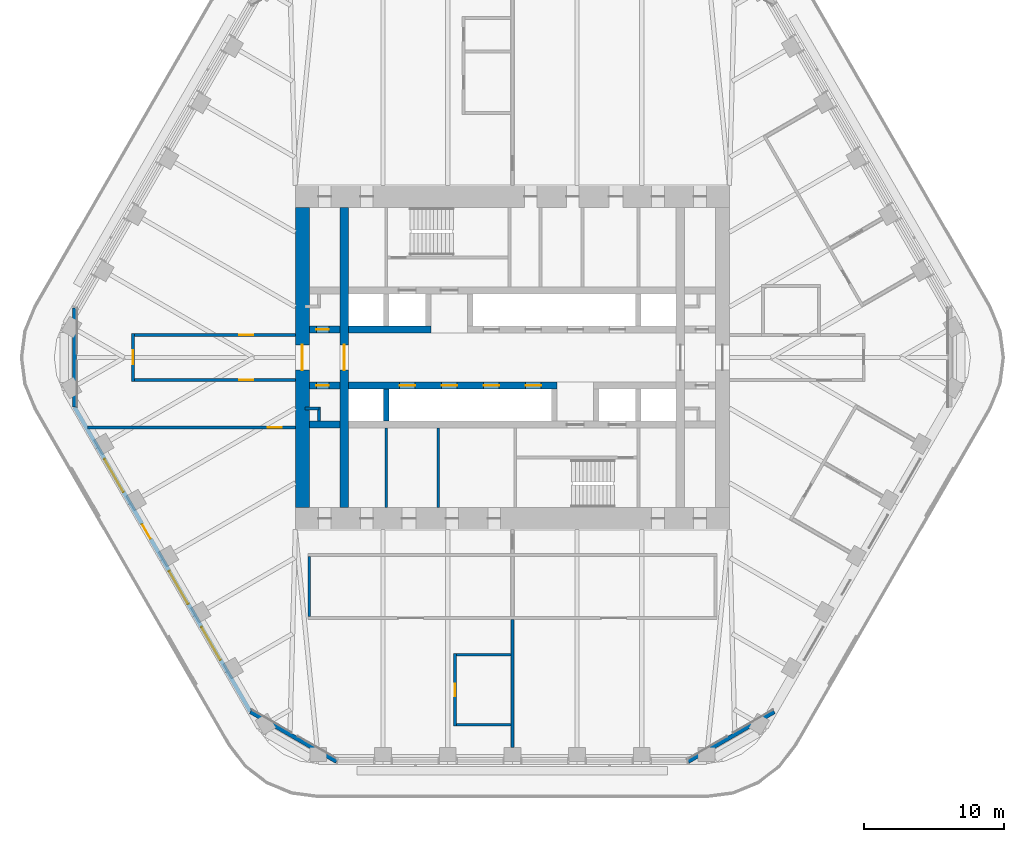
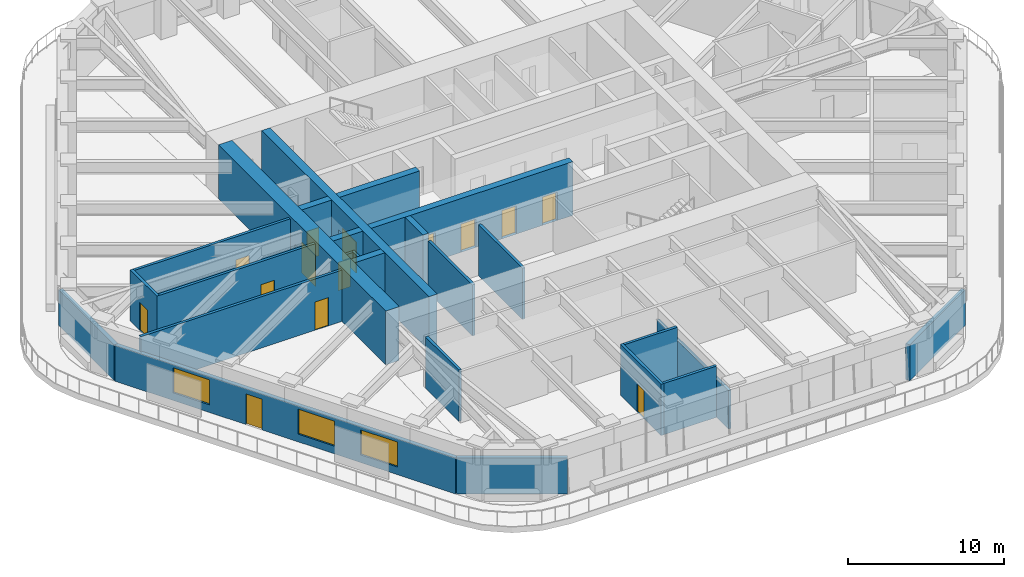
# One storey, part 14 of 20: 25 walls, 14 doors, 3 windows, 17 openings.
"""IFC4 building model written with IfcOpenShell, lengths in metres."""

from ifc_helpers import new_model, si_unit, direction, frame, frame_2d, origin, place, context, subcontext, project, spatial, rectangle, extrude, material, layer, layer_set, type_object, element, fill, save


model = new_model("IFC4")

# Units and contexts
model_context = context("Model", 3, precision=1e-05, world=origin(), true_north=direction((0.0, 1.0)))
body_context = subcontext(model_context, "Body", "Model", "MODEL_VIEW")
ifc_project = project(units=[si_unit("LENGTHUNIT", "METRE"), si_unit("AREAUNIT", "SQUARE_METRE"), si_unit("VOLUMEUNIT", "CUBIC_METRE"), si_unit("PLANEANGLEUNIT", "RADIAN"), si_unit("MASSUNIT", "GRAM", prefix="KILO")], contexts=[model_context])

# Site, building, storey
site_placement = place(None, origin())
site = spatial("IfcSite", under=ifc_project, at=site_placement, CompositionType="ELEMENT")
building_placement = place(site_placement, origin())
building = spatial("IfcBuilding", under=site, at=building_placement, Name="Tarfa Lantern Tower", CompositionType="ELEMENT")
storey_placement = place(building_placement, frame((0.0, 0.0, 257.5)))
storey = spatial("IfcBuildingStorey", under=building, at=storey_placement, Name="L58", CompositionType="ELEMENT", Elevation=257.5)

# Walls
ifc_material_1 = material(Name="Limestone cladding on blockwork", Category="masonry")
ifc_layer_1 = layer(ifc_material_1, 0.300048828125)
ifc_layer_set_1 = layer_set([ifc_layer_1], Name="EW1 STONE-CLAD WALL 300")
wall_type_1 = type_object("IfcWallType", Name="EW1 STONE-CLAD WALL 300", PredefinedType="SOLIDWALL", material=ifc_layer_set_1)
wall_1_placement = place(storey_placement, frame((-31.262939453125, 3.55078125, 0.0), z_axis=(0.0, 0.0, 1.0), x_axis=(0.0, -1.0, 0.0)))
element("IfcWall", 1, at=wall_1_placement, inside=storey, type_object=wall_type_1, Name="Garden wall NW-SW", PredefinedType="SOLIDWALL", context=body_context, shape_type="SweptSolid", body=[
    extrude(rectangle(XDim=7.1015625, YDim=0.300048828125, at=frame_2d((3.55078125, 0.0))), origin(), (0.0, 0.0, 1.0), 2.800048828125),
])
for number, where, z_axis, x_axis, name in (
    (2, (-18.70654296875, -25.299072265625, 0.0), (0.0, 0.0, 1.0), (0.866010973379, -0.500024993363, 0.0), "Garden wall SW-S"),
    (3, (12.556396484375, -28.85009765625, 0.0), (0.0, 0.0, 1.0), (0.866010973379, 0.500024993363, 0.0), "Garden wall S-SE"),
):
    element("IfcWall", number, at=place(storey_placement, frame(where, z_axis=z_axis, x_axis=x_axis)), inside=storey, type_object=wall_type_1, Name=name, PredefinedType="SOLIDWALL", context=body_context, shape_type="SweptSolid", body=[
        extrude(rectangle(XDim=7.101806640625, YDim=0.300048828125, at=frame_2d((3.55078125, 0.0))), origin(), (0.0, 0.0, 1.0), 2.800048828125),
    ])

# Wall, openings, door, windows
wall_2_placement = place(storey_placement, frame((-31.262939453125, -3.55078125, 0.0), z_axis=(0.0, 0.0, 1.0), x_axis=(0.500000442367, -0.866025148383, 0.0)))
wall_2 = element("IfcWall", 4, at=wall_2_placement, inside=storey, type_object=wall_type_1, Name="Stone wall SW", PredefinedType="SOLIDWALL", context=body_context, shape_type="SweptSolid", body=[
    extrude(rectangle(XDim=25.11279296875, YDim=0.300048828125, at=frame_2d((12.556396484375, 0.0))), origin(), (0.0, 0.0, 1.0), 2.800048828125),
])
opening_1_placement = place(wall_2_placement, frame((4.2783203125, 0.0, 0.60009765625)))
opening_1 = element("IfcOpeningElement", 5, at=opening_1_placement, cuts=wall_2, Name="Opening W14", PredefinedType="OPENING", context=body_context, shape_type="SweptSolid", body=[
    extrude(rectangle(XDim=2.699951171875, YDim=1.949951171875, at=frame_2d((1.35009765625, 0.97509765625))), frame((0.0, 0.159912109375, 0.0), z_axis=(0.0, -1.0, 0.0), x_axis=(1.0, 0.0, 0.0)), (0.0, 0.0, 1.0), 0.320068359375),
])
opening_2_placement = place(wall_2_placement, frame((9.64697265625, 0.0, 0.0)))
opening_2 = element("IfcOpeningElement", 6, at=opening_2_placement, cuts=wall_2, Name="Opening D48", PredefinedType="OPENING", context=body_context, shape_type="SweptSolid", body=[
    extrude(rectangle(XDim=1.199951171875, YDim=2.39990234375, at=frame_2d((0.60009765625, 1.199951171875))), frame((0.0, 0.159912109375, 0.0), z_axis=(0.0, -1.0, 0.0), x_axis=(1.0, 0.0, 0.0)), (0.0, 0.0, 1.0), 0.320068359375),
])
opening_3_placement = place(wall_2_placement, frame((13.515869140625, 0.0, 0.60009765625)))
opening_3 = element("IfcOpeningElement", 7, at=opening_3_placement, cuts=wall_2, Name="Opening W14", PredefinedType="OPENING", context=body_context, shape_type="SweptSolid", body=[
    extrude(rectangle(XDim=2.699951171875, YDim=1.949951171875, at=frame_2d((1.35009765625, 0.97509765625))), frame((0.0, 0.159912109375, 0.0), z_axis=(0.0, -1.0, 0.0), x_axis=(1.0, 0.0, 0.0)), (0.0, 0.0, 1.0), 0.320068359375),
])
opening_4_placement = place(wall_2_placement, frame((18.134521484375, 0.0, 0.60009765625)))
opening_4 = element("IfcOpeningElement", 8, at=opening_4_placement, cuts=wall_2, Name="Opening W14", PredefinedType="OPENING", context=body_context, shape_type="SweptSolid", body=[
    extrude(rectangle(XDim=2.699951171875, YDim=1.949951171875, at=frame_2d((1.35009765625, 0.97509765625))), frame((0.0, 0.159912109375, 0.0), z_axis=(0.0, -1.0, 0.0), x_axis=(1.0, 0.0, 0.0)), (0.0, 0.0, 1.0), 0.320068359375),
])
ifc_material_2 = material(Name="Aluminium framed glazed door", Category="aluminium")
door_type_1 = type_object("IfcDoorType", Name="BE3 BALCONY DOOR 1200x2400", OperationType="SINGLE_SWING_RIGHT", PredefinedType="DOOR", material=ifc_material_2)
door_1_placement = place(opening_2_placement, origin())
door_1 = element("IfcDoor", 9, at=door_1_placement, inside=storey, type_object=door_type_1, Name="Balcony door SW", OperationType="SINGLE_SWING_RIGHT", OverallHeight=2.39990234375, OverallWidth=1.199951171875, PredefinedType="DOOR", context=body_context, shape_type="SweptSolid", body=[
    extrude(rectangle(XDim=1.199951171875, YDim=2.39990234375, at=frame_2d((0.60009765625, 1.199951171875))), frame((0.0, 0.02490234375, 0.0), z_axis=(0.0, -1.0, 0.0), x_axis=(1.0, 0.0, 0.0)), (0.0, 0.0, 1.0), 0.050048828125),
])
fill(opening_2, door_1)
ifc_material_3 = material(Name="Aluminium frame, double glazed", Category="aluminium")
window_type = type_object("IfcWindowType", Name="W14 FULL-HEIGHT GLAZING 2700x1950", PartitioningType="SINGLE_PANEL", PredefinedType="WINDOW", material=ifc_material_3)
window_1_placement = place(opening_1_placement, origin())
window_1 = element("IfcWindow", 10, at=window_1_placement, inside=storey, type_object=window_type, Name="Window SW 2", OverallHeight=1.949951171875, OverallWidth=2.699951171875, PartitioningType="SINGLE_PANEL", PredefinedType="WINDOW", context=body_context, shape_type="SweptSolid", body=[
    extrude(rectangle(XDim=2.699951171875, YDim=1.949951171875, at=frame_2d((1.35009765625, 0.97509765625))), frame((0.0, 0.030029296875, 0.0), z_axis=(0.0, -1.0, 0.0), x_axis=(1.0, 0.0, 0.0)), (0.0, 0.0, 1.0), 0.06005859375),
])
fill(opening_1, window_1)
window_2_placement = place(opening_3_placement, origin())
window_2 = element("IfcWindow", 11, at=window_2_placement, inside=storey, type_object=window_type, Name="Window SW 4", OverallHeight=1.949951171875, OverallWidth=2.699951171875, PartitioningType="SINGLE_PANEL", PredefinedType="WINDOW", context=body_context, shape_type="SweptSolid", body=[
    extrude(rectangle(XDim=2.699951171875, YDim=1.949951171875, at=frame_2d((1.35009765625, 0.97509765625))), frame((0.0, 0.030029296875, 0.0), z_axis=(0.0, -1.0, 0.0), x_axis=(1.0, 0.0, 0.0)), (0.0, 0.0, 1.0), 0.06005859375),
])
fill(opening_3, window_2)
window_3_placement = place(opening_4_placement, origin())
window_3 = element("IfcWindow", 12, at=window_3_placement, inside=storey, type_object=window_type, Name="Window SW 5", OverallHeight=1.949951171875, OverallWidth=2.699951171875, PartitioningType="SINGLE_PANEL", PredefinedType="WINDOW", context=body_context, shape_type="SweptSolid", body=[
    extrude(rectangle(XDim=2.699951171875, YDim=1.949951171875, at=frame_2d((1.35009765625, 0.97509765625))), frame((0.0, 0.030029296875, 0.0), z_axis=(0.0, -1.0, 0.0), x_axis=(1.0, 0.0, 0.0)), (0.0, 0.0, 1.0), 0.06005859375),
])
fill(opening_4, window_3)

# Walls
ifc_material_4 = material(Name="Concrete blockwork", Category="masonry")
ifc_layer_2 = layer(ifc_material_4, 0.199951171875)
ifc_layer_set_2 = layer_set([ifc_layer_2], Name="IW1 BLOCKWORK PARTITION 200 EI 120")
wall_type_2 = type_object("IfcWallType", Name="IW1 BLOCKWORK PARTITION 200 EI 120", PredefinedType="PARTITIONING", material=ifc_layer_set_2)
for number, where, z_axis, x_axis, name in (
    (13, (-9.0, -5.050048828125, 0.0), (0.0, 0.0, 1.0), (0.0, -1.0, 0.0), "Core partition"),
    (14, (-5.300048828125, -5.050048828125, 0.0), (0.0, 0.0, 1.0), (0.0, -1.0, 0.0), "Core partition"),
):
    element("IfcWall", number, at=place(storey_placement, frame(where, z_axis=z_axis, x_axis=x_axis)), inside=storey, type_object=wall_type_2, Name=name, PredefinedType="PARTITIONING", context=body_context, shape_type="SweptSolid", body=[
        extrude(rectangle(XDim=5.64990234375, YDim=0.199951171875, at=frame_2d((2.824951171875, 0.0))), origin(), (0.0, 0.0, 1.0), 4.0),
    ])
for number, where, z_axis, x_axis, name in (
    (15, (-13.800048828125, -3.64990234375, 0.0), (0.0, 0.0, 1.0), (-1.0, 0.0, 0.0), "Core partition"),
    (16, (-13.800048828125, -3.550048828125, 0.0), (0.0, 0.0, 1.0), (0.0, -1.0, 0.0), "Core partition"),
):
    element("IfcWall", number, at=place(storey_placement, frame(where, z_axis=z_axis, x_axis=x_axis)), inside=storey, type_object=wall_type_2, Name=name, PredefinedType="PARTITIONING", context=body_context, shape_type="SweptSolid", body=[
        extrude(rectangle(XDim=1.0, YDim=0.199951171875, at=frame_2d((0.5, 0.0))), origin(), (0.0, 0.0, 1.0), 4.0),
    ])
ifc_material_5 = material(Name="Gypsum board on steel studs", Category="steel")
ifc_layer_3 = layer(ifc_material_5, 0.2099609375)
ifc_layer_set_3 = layer_set([ifc_layer_3], Name="IW2 ACOUSTIC PARTITION 200")
wall_type_3 = type_object("IfcWallType", Name="IW2 ACOUSTIC PARTITION 200", PredefinedType="PARTITIONING", material=ifc_layer_set_3)
wall_3_placement = place(storey_placement, frame((-14.5, -14.199951171875, 0.0), z_axis=(0.0, 0.0, 1.0), x_axis=(0.0, -1.0, 0.0)))
element("IfcWall", 17, at=wall_3_placement, inside=storey, type_object=wall_type_3, Name="Partition", PredefinedType="PARTITIONING", context=body_context, shape_type="SweptSolid", body=[
    extrude(rectangle(XDim=4.300048828125, YDim=0.199951171875, at=frame_2d((2.14990234375, 0.0))), origin(), (0.0, 0.0, 1.0), 4.0),
])

# Wall, opening, door
wall_4_placement = place(storey_placement, frame((-15.5, 1.60009765625, 0.0), z_axis=(0.0, 0.0, 1.0), x_axis=(-1.0, 0.0, 0.0)))
wall_4 = element("IfcWall", 18, at=wall_4_placement, inside=storey, type_object=wall_type_3, Name="Partition", PredefinedType="PARTITIONING", context=body_context, shape_type="SweptSolid", body=[
    extrude(rectangle(XDim=11.699951171875, YDim=0.199951171875, at=frame_2d((5.85009765625, 0.0))), origin(), (0.0, 0.0, 1.0), 4.0),
])
opening_5_placement = place(wall_4_placement, frame((3.010009765625, 0.0, 0.0)))
opening_5 = element("IfcOpeningElement", 19, at=opening_5_placement, cuts=wall_4, Name="Opening D41", PredefinedType="OPENING", context=body_context, shape_type="SweptSolid", body=[
    extrude(rectangle(XDim=1.0, YDim=2.199951171875, at=frame_2d((0.5, 1.10009765625))), frame((0.0, 0.10986328125, 0.0), z_axis=(0.0, -1.0, 0.0), x_axis=(1.0, 0.0, 0.0)), (0.0, 0.0, 1.0), 0.219970703125),
])
ifc_material_6 = material(Name="Timber door", Category="wood")
door_type_2 = type_object("IfcDoorType", Name="DR1 ROOM DOOR 1000x2200", OperationType="SINGLE_SWING_LEFT", PredefinedType="DOOR", material=ifc_material_6)
door_2_placement = place(opening_5_placement, frame((1.0, 0.0, 0.0), z_axis=(0.0, 0.0, 1.0), x_axis=(-1.0, 0.0, 0.0)))
door_2 = element("IfcDoor", 20, at=door_2_placement, inside=storey, type_object=door_type_2, Name="Corridor door", OperationType="SINGLE_SWING_LEFT", OverallHeight=2.199951171875, OverallWidth=1.0, PredefinedType="DOOR", context=body_context, shape_type="SweptSolid", body=[
    extrude(rectangle(XDim=1.0, YDim=2.199951171875, at=frame_2d((0.5, 1.10009765625))), frame((0.0, 0.02490234375, 0.0), z_axis=(0.0, -1.0, 0.0), x_axis=(1.0, 0.0, 0.0)), (0.0, 0.0, 1.0), 0.050048828125),
])
fill(opening_5, door_2)

wall_5_placement = place(storey_placement, frame((-15.5, -1.60009765625, 0.0), z_axis=(0.0, 0.0, 1.0), x_axis=(-1.0, 0.0, 0.0)))
wall_5 = element("IfcWall", 21, at=wall_5_placement, inside=storey, type_object=wall_type_3, Name="Partition", PredefinedType="PARTITIONING", context=body_context, shape_type="SweptSolid", body=[
    extrude(rectangle(XDim=11.699951171875, YDim=0.199951171875, at=frame_2d((5.85009765625, 0.0))), origin(), (0.0, 0.0, 1.0), 4.0),
])
opening_6_placement = place(wall_5_placement, frame((3.010009765625, 0.0, 0.0)))
opening_6 = element("IfcOpeningElement", 22, at=opening_6_placement, cuts=wall_5, Name="Opening D42", PredefinedType="OPENING", context=body_context, shape_type="SweptSolid", body=[
    extrude(rectangle(XDim=1.0, YDim=2.199951171875, at=frame_2d((0.5, 1.10009765625))), frame((0.0, 0.10986328125, 0.0), z_axis=(0.0, -1.0, 0.0), x_axis=(1.0, 0.0, 0.0)), (0.0, 0.0, 1.0), 0.219970703125),
])
door_3_placement = place(opening_6_placement, origin())
door_3 = element("IfcDoor", 23, at=door_3_placement, inside=storey, type_object=door_type_2, Name="Corridor door", OperationType="SINGLE_SWING_RIGHT", OverallHeight=2.199951171875, OverallWidth=1.0, PredefinedType="DOOR", context=body_context, shape_type="SweptSolid", body=[
    extrude(rectangle(XDim=1.0, YDim=2.199951171875, at=frame_2d((0.5, 1.10009765625))), frame((0.0, 0.02490234375, 0.0), z_axis=(0.0, -1.0, 0.0), x_axis=(1.0, 0.0, 0.0)), (0.0, 0.0, 1.0), 0.050048828125),
])
fill(opening_6, door_3)

wall_6_placement = place(storey_placement, frame((-27.10009765625, -1.699951171875, 0.0), z_axis=(0.0, 0.0, 1.0), x_axis=(0.0, 1.0, 0.0)))
wall_6 = element("IfcWall", 24, at=wall_6_placement, inside=storey, type_object=wall_type_3, Name="Partition", PredefinedType="PARTITIONING", context=body_context, shape_type="SweptSolid", body=[
    extrude(rectangle(XDim=3.39990234375, YDim=0.199951171875, at=frame_2d((1.699951171875, 0.0))), origin(), (0.0, 0.0, 1.0), 4.0),
])
opening_7_placement = place(wall_6_placement, frame((1.199951171875, 0.0, 0.0)))
opening_7 = element("IfcOpeningElement", 25, at=opening_7_placement, cuts=wall_6, Name="Opening D40", PredefinedType="OPENING", context=body_context, shape_type="SweptSolid", body=[
    extrude(rectangle(XDim=1.0, YDim=2.199951171875, at=frame_2d((0.5, 1.10009765625))), frame((0.0, 0.10986328125, 0.0), z_axis=(0.0, -1.0, 0.0), x_axis=(1.0, 0.0, 0.0)), (0.0, 0.0, 1.0), 0.219970703125),
])
door_4_placement = place(opening_7_placement, origin())
door_4 = element("IfcDoor", 26, at=door_4_placement, inside=storey, type_object=door_type_2, Name="Corridor door", OperationType="SINGLE_SWING_RIGHT", OverallHeight=2.199951171875, OverallWidth=1.0, PredefinedType="DOOR", context=body_context, shape_type="SweptSolid", body=[
    extrude(rectangle(XDim=1.0, YDim=2.199951171875, at=frame_2d((0.5, 1.10009765625))), frame((0.0, 0.02490234375, 0.0), z_axis=(0.0, -1.0, 0.0), x_axis=(1.0, 0.0, 0.0)), (0.0, 0.0, 1.0), 0.050048828125),
])
fill(opening_7, door_4)

# Wall
wall_7_placement = place(storey_placement, frame((0.0, -18.699951171875, 0.0), z_axis=(0.0, 0.0, 1.0), x_axis=(0.0, -1.0, 0.0)))
element("IfcWall", 27, at=wall_7_placement, inside=storey, type_object=wall_type_3, Name="Partition", PredefinedType="PARTITIONING", context=body_context, shape_type="SweptSolid", body=[
    extrude(rectangle(XDim=9.150146484375, YDim=0.199951171875, at=frame_2d((4.5751953125, 0.0))), origin(), (0.0, 0.0, 1.0), 2.991943359375),
])

# Wall, opening, door
wall_8_placement = place(storey_placement, frame((-15.5, -5.0, 0.0), z_axis=(0.0, 0.0, 1.0), x_axis=(-1.0, 0.0, 0.0)))
wall_8 = element("IfcWall", 28, at=wall_8_placement, inside=storey, type_object=wall_type_3, Name="Partition", PredefinedType="PARTITIONING", context=body_context, shape_type="SweptSolid", body=[
    extrude(rectangle(XDim=14.845458984375, YDim=0.199951171875, at=frame_2d((7.4228515625, 0.0))), origin(), (0.0, 0.0, 1.0), 4.0),
])
opening_8_placement = place(wall_8_placement, frame((0.984619140625, 0.0, 0.0)))
opening_8 = element("IfcOpeningElement", 29, at=opening_8_placement, cuts=wall_8, Name="Opening D45", PredefinedType="OPENING", context=body_context, shape_type="SweptSolid", body=[
    extrude(rectangle(XDim=1.0, YDim=2.199951171875, at=frame_2d((0.5, 1.10009765625))), frame((0.0, 0.10986328125, 0.0), z_axis=(0.0, -1.0, 0.0), x_axis=(1.0, 0.0, 0.0)), (0.0, 0.0, 1.0), 0.219970703125),
])
door_5_placement = place(opening_8_placement, origin())
door_5 = element("IfcDoor", 30, at=door_5_placement, inside=storey, type_object=door_type_2, Name="Zone door", OperationType="SINGLE_SWING_RIGHT", OverallHeight=2.199951171875, OverallWidth=1.0, PredefinedType="DOOR", context=body_context, shape_type="SweptSolid", body=[
    extrude(rectangle(XDim=1.0, YDim=2.199951171875, at=frame_2d((0.5, 1.10009765625))), frame((0.0, 0.02490234375, 0.0), z_axis=(0.0, -1.0, 0.0), x_axis=(1.0, 0.0, 0.0)), (0.0, 0.0, 1.0), 0.050048828125),
])
fill(opening_8, door_5)

wall_9_placement = place(storey_placement, frame((-4.10009765625, -21.132568359375, 0.0), z_axis=(0.0, 0.0, 1.0), x_axis=(0.0, -1.0, 0.0)))
wall_9 = element("IfcWall", 31, at=wall_9_placement, inside=storey, type_object=wall_type_3, Name="Partition", PredefinedType="PARTITIONING", context=body_context, shape_type="SweptSolid", body=[
    extrude(rectangle(XDim=5.199951171875, YDim=0.199951171875, at=frame_2d((2.60009765625, 0.0))), origin(), (0.0, 0.0, 1.0), 4.0),
])
opening_9_placement = place(wall_9_placement, frame((2.14990234375, 0.0, 0.0)))
opening_9 = element("IfcOpeningElement", 32, at=opening_9_placement, cuts=wall_9, Name="Opening D36", PredefinedType="OPENING", context=body_context, shape_type="SweptSolid", body=[
    extrude(rectangle(XDim=0.89990234375, YDim=2.199951171875, at=frame_2d((0.449951171875, 1.10009765625))), frame((0.0, 0.10986328125, 0.0), z_axis=(0.0, -1.0, 0.0), x_axis=(1.0, 0.0, 0.0)), (0.0, 0.0, 1.0), 0.219970703125),
])
door_type_3 = type_object("IfcDoorType", Name="DR3 ROOM DOOR 900x2200", OperationType="SINGLE_SWING_LEFT", PredefinedType="DOOR", material=ifc_material_6)
door_6_placement = place(opening_9_placement, origin())
door_6 = element("IfcDoor", 33, at=door_6_placement, inside=storey, type_object=door_type_3, Name="Team room door", OperationType="SINGLE_SWING_LEFT", OverallHeight=2.199951171875, OverallWidth=0.89990234375, PredefinedType="DOOR", context=body_context, shape_type="SweptSolid", body=[
    extrude(rectangle(XDim=0.89990234375, YDim=2.199951171875, at=frame_2d((0.449951171875, 1.10009765625))), frame((0.0, 0.02490234375, 0.0), z_axis=(0.0, -1.0, 0.0), x_axis=(1.0, 0.0, 0.0)), (0.0, 0.0, 1.0), 0.050048828125),
])
fill(opening_9, door_6)

# Walls
for number, where, z_axis, x_axis, name in (
    (34, (-0.10009765625, -21.232421875, 0.0), (0.0, 0.0, 1.0), (-1.0, 0.0, 0.0), "Partition"),
    (35, (-0.10009765625, -26.232421875, 0.0), (0.0, 0.0, 1.0), (-1.0, 0.0, 0.0), "Partition"),
):
    element("IfcWall", number, at=place(storey_placement, frame(where, z_axis=z_axis, x_axis=x_axis)), inside=storey, type_object=wall_type_3, Name=name, PredefinedType="PARTITIONING", context=body_context, shape_type="SweptSolid", body=[
        extrude(rectangle(XDim=3.89990234375, YDim=0.199951171875, at=frame_2d((1.949951171875, 0.0))), origin(), (0.0, 0.0, 1.0), 4.0),
    ])

# Wall, opening, door
ifc_material_7 = material(Name="Concrete C80/95", Category="concrete")
ifc_layer_4 = layer(ifc_material_7, 1.0)
ifc_layer_set_4 = layer_set([ifc_layer_4], Name="SW2 CORE WALL 1000")
wall_type_4 = type_object("IfcWallType", Name="SW2 CORE WALL 1000", PredefinedType="SHEAR", material=ifc_layer_set_4)
wall_10_placement = place(storey_placement, frame((-15.0, 10.699951171875, 0.0), z_axis=(0.0, 0.0, 1.0), x_axis=(0.0, -1.0, 0.0)))
wall_10 = element("IfcWall", 36, at=wall_10_placement, inside=storey, type_object=wall_type_4, Name="Core wall W", PredefinedType="SHEAR", context=body_context, shape_type="SweptSolid", body=[
    extrude(rectangle(XDim=21.39990234375, YDim=1.0, at=frame_2d((10.699951171875, 0.0))), origin(), (0.0, 0.0, 1.0), 4.199951171875),
])
opening_10_placement = place(wall_10_placement, frame((9.800048828125, 0.0, 0.0)))
opening_10 = element("IfcOpeningElement", 37, at=opening_10_placement, cuts=wall_10, Name="Opening D12", PredefinedType="OPENING", context=body_context, shape_type="SweptSolid", body=[
    extrude(rectangle(XDim=1.800048828125, YDim=2.39990234375, at=frame_2d((0.89990234375, 1.199951171875))), frame((0.0, 0.510009765625, 0.0), z_axis=(0.0, -1.0, 0.0), x_axis=(1.0, 0.0, 0.0)), (0.0, 0.0, 1.0), 1.02001953125),
])
ifc_material_8 = material(Name="Steel fire door", Category="steel")
door_type_4 = type_object("IfcDoorType", Name="DL1 LOBBY DOOR 1800x2400", OperationType="DOUBLE_DOOR_SINGLE_SWING", PredefinedType="DOOR", material=ifc_material_8)
door_7_placement = place(opening_10_placement, frame((1.800048828125, 0.0, 0.0), z_axis=(0.0, 0.0, 1.0), x_axis=(-1.0, 0.0, 0.0)))
door_7 = element("IfcDoor", 38, at=door_7_placement, inside=storey, type_object=door_type_4, Name="Lift lobby door", OperationType="DOUBLE_DOOR_SINGLE_SWING", OverallHeight=2.39990234375, OverallWidth=1.800048828125, PredefinedType="DOOR", context=body_context, shape_type="SweptSolid", body=[
    extrude(rectangle(XDim=1.800048828125, YDim=2.39990234375, at=frame_2d((0.89990234375, 1.199951171875))), frame((0.0, 0.02490234375, 0.0), z_axis=(0.0, -1.0, 0.0), x_axis=(1.0, 0.0, 0.0)), (0.0, 0.0, 1.0), 0.050048828125),
])
fill(opening_10, door_7)

ifc_layer_5 = layer(ifc_material_7, 0.5)
ifc_layer_set_5 = layer_set([ifc_layer_5], Name="SW5 CORE WALL 500")
wall_type_5 = type_object("IfcWallType", Name="SW5 CORE WALL 500", PredefinedType="SHEAR", material=ifc_layer_set_5)
wall_11_placement = place(storey_placement, frame((-14.5, 2.0, 0.0), z_axis=(0.0, 0.0, 1.0), x_axis=(1.0, 0.0, 0.0)))
wall_11 = element("IfcWall", 39, at=wall_11_placement, inside=storey, type_object=wall_type_5, Name="Core wall lobby west N", PredefinedType="SHEAR", context=body_context, shape_type="SweptSolid", body=[
    extrude(rectangle(XDim=2.199951171875, YDim=0.5, at=frame_2d((1.10009765625, 0.0))), origin(), (0.0, 0.0, 1.0), 4.199951171875),
])
opening_11_placement = place(wall_11_placement, frame((0.5, 0.0, 0.0)))
opening_11 = element("IfcOpeningElement", 40, at=opening_11_placement, cuts=wall_11, Name="Opening D15", PredefinedType="OPENING", context=body_context, shape_type="SweptSolid", body=[
    extrude(rectangle(XDim=0.89990234375, YDim=2.199951171875, at=frame_2d((0.449951171875, 1.10009765625))), frame((0.0, 0.260009765625, 0.0), z_axis=(0.0, -1.0, 0.0), x_axis=(1.0, 0.0, 0.0)), (0.0, 0.0, 1.0), 0.52001953125),
])
door_type_5 = type_object("IfcDoorType", Name="DF6 SERVICE ROOM DOOR 900x2200", OperationType="SINGLE_SWING_LEFT", PredefinedType="DOOR", material=ifc_material_8)
door_8_placement = place(opening_11_placement, origin())
door_8 = element("IfcDoor", 41, at=door_8_placement, inside=storey, type_object=door_type_5, Name="Service room door", OperationType="SINGLE_SWING_RIGHT", OverallHeight=2.199951171875, OverallWidth=0.89990234375, PredefinedType="DOOR", context=body_context, shape_type="SweptSolid", body=[
    extrude(rectangle(XDim=0.89990234375, YDim=2.199951171875, at=frame_2d((0.449951171875, 1.10009765625))), frame((0.0, 0.02490234375, 0.0), z_axis=(0.0, -1.0, 0.0), x_axis=(1.0, 0.0, 0.0)), (0.0, 0.0, 1.0), 0.050048828125),
])
fill(opening_11, door_8)

# Wall
wall_12_placement = place(storey_placement, frame((-11.699951171875, 2.0, 0.0), z_axis=(0.0, 0.0, 1.0), x_axis=(1.0, 0.0, 0.0)))
element("IfcWall", 42, at=wall_12_placement, inside=storey, type_object=wall_type_5, Name="Core wall lobby west N", PredefinedType="SHEAR", context=body_context, shape_type="SweptSolid", body=[
    extrude(rectangle(XDim=5.89990234375, YDim=0.5, at=frame_2d((2.949951171875, 0.0))), origin(), (0.0, 0.0, 1.0), 4.199951171875),
])

# Wall, openings, doors
wall_13_placement = place(storey_placement, frame((3.199951171875, -2.0, 0.0), z_axis=(0.0, 0.0, 1.0), x_axis=(-1.0, 0.0, 0.0)))
wall_13 = element("IfcWall", 43, at=wall_13_placement, inside=storey, type_object=wall_type_5, Name="Core wall lobby east S", PredefinedType="SHEAR", context=body_context, shape_type="SweptSolid", body=[
    extrude(rectangle(XDim=14.89990234375, YDim=0.5, at=frame_2d((7.449951171875, 0.0))), origin(), (0.0, 0.0, 1.0), 4.199951171875),
])
opening_12_placement = place(wall_13_placement, frame((1.14990234375, 0.0, 0.0)))
opening_12 = element("IfcOpeningElement", 44, at=opening_12_placement, cuts=wall_13, Name="Opening LD07", PredefinedType="OPENING", context=body_context, shape_type="SweptSolid", body=[
    extrude(rectangle(XDim=1.10009765625, YDim=2.199951171875, at=frame_2d((0.550048828125, 1.10009765625))), frame((0.0, 0.260009765625, 0.0), z_axis=(0.0, -1.0, 0.0), x_axis=(1.0, 0.0, 0.0)), (0.0, 0.0, 1.0), 0.52001953125),
])
opening_13_placement = place(wall_13_placement, frame((4.14990234375, 0.0, 0.0)))
opening_13 = element("IfcOpeningElement", 45, at=opening_13_placement, cuts=wall_13, Name="Opening LD08", PredefinedType="OPENING", context=body_context, shape_type="SweptSolid", body=[
    extrude(rectangle(XDim=1.10009765625, YDim=2.199951171875, at=frame_2d((0.550048828125, 1.10009765625))), frame((0.0, 0.260009765625, 0.0), z_axis=(0.0, -1.0, 0.0), x_axis=(1.0, 0.0, 0.0)), (0.0, 0.0, 1.0), 0.52001953125),
])
opening_14_placement = place(wall_13_placement, frame((7.14990234375, 0.0, 0.0)))
opening_14 = element("IfcOpeningElement", 46, at=opening_14_placement, cuts=wall_13, Name="Opening LD09", PredefinedType="OPENING", context=body_context, shape_type="SweptSolid", body=[
    extrude(rectangle(XDim=1.10009765625, YDim=2.199951171875, at=frame_2d((0.550048828125, 1.10009765625))), frame((0.0, 0.260009765625, 0.0), z_axis=(0.0, -1.0, 0.0), x_axis=(1.0, 0.0, 0.0)), (0.0, 0.0, 1.0), 0.52001953125),
])
opening_15_placement = place(wall_13_placement, frame((10.14990234375, 0.0, 0.0)))
opening_15 = element("IfcOpeningElement", 47, at=opening_15_placement, cuts=wall_13, Name="Opening LD10", PredefinedType="OPENING", context=body_context, shape_type="SweptSolid", body=[
    extrude(rectangle(XDim=1.10009765625, YDim=2.199951171875, at=frame_2d((0.550048828125, 1.10009765625))), frame((0.0, 0.260009765625, 0.0), z_axis=(0.0, -1.0, 0.0), x_axis=(1.0, 0.0, 0.0)), (0.0, 0.0, 1.0), 0.52001953125),
])
ifc_material_9 = material(Name="Stainless steel lift door", Category="steel")
door_type_6 = type_object("IfcDoorType", Name="LD2 LIFT LANDING DOOR 1100x2200", OperationType="SLIDING_TO_LEFT", PredefinedType="DOOR", material=ifc_material_9)
door_9_placement = place(opening_12_placement, frame((1.10009765625, 0.0, 0.0), z_axis=(0.0, 0.0, 1.0), x_axis=(-1.0, 0.0, 0.0)))
door_9 = element("IfcDoor", 48, at=door_9_placement, inside=storey, type_object=door_type_6, Name="Landing door PC5", OperationType="SLIDING_TO_LEFT", OverallHeight=2.199951171875, OverallWidth=1.10009765625, PredefinedType="DOOR", context=body_context, shape_type="SweptSolid", body=[
    extrude(rectangle(XDim=1.10009765625, YDim=2.199951171875, at=frame_2d((0.550048828125, 1.10009765625))), frame((0.0, 0.02490234375, 0.0), z_axis=(0.0, -1.0, 0.0), x_axis=(1.0, 0.0, 0.0)), (0.0, 0.0, 1.0), 0.050048828125),
])
fill(opening_12, door_9)
door_10_placement = place(opening_13_placement, frame((1.10009765625, 0.0, 0.0), z_axis=(0.0, 0.0, 1.0), x_axis=(-1.0, 0.0, 0.0)))
door_10 = element("IfcDoor", 49, at=door_10_placement, inside=storey, type_object=door_type_6, Name="Landing door PC6", OperationType="SLIDING_TO_LEFT", OverallHeight=2.199951171875, OverallWidth=1.10009765625, PredefinedType="DOOR", context=body_context, shape_type="SweptSolid", body=[
    extrude(rectangle(XDim=1.10009765625, YDim=2.199951171875, at=frame_2d((0.550048828125, 1.10009765625))), frame((0.0, 0.02490234375, 0.0), z_axis=(0.0, -1.0, 0.0), x_axis=(1.0, 0.0, 0.0)), (0.0, 0.0, 1.0), 0.050048828125),
])
fill(opening_13, door_10)
door_11_placement = place(opening_14_placement, frame((1.10009765625, 0.0, 0.0), z_axis=(0.0, 0.0, 1.0), x_axis=(-1.0, 0.0, 0.0)))
door_11 = element("IfcDoor", 50, at=door_11_placement, inside=storey, type_object=door_type_6, Name="Landing door PC7", OperationType="SLIDING_TO_LEFT", OverallHeight=2.199951171875, OverallWidth=1.10009765625, PredefinedType="DOOR", context=body_context, shape_type="SweptSolid", body=[
    extrude(rectangle(XDim=1.10009765625, YDim=2.199951171875, at=frame_2d((0.550048828125, 1.10009765625))), frame((0.0, 0.02490234375, 0.0), z_axis=(0.0, -1.0, 0.0), x_axis=(1.0, 0.0, 0.0)), (0.0, 0.0, 1.0), 0.050048828125),
])
fill(opening_14, door_11)
door_12_placement = place(opening_15_placement, frame((1.10009765625, 0.0, 0.0), z_axis=(0.0, 0.0, 1.0), x_axis=(-1.0, 0.0, 0.0)))
door_12 = element("IfcDoor", 51, at=door_12_placement, inside=storey, type_object=door_type_6, Name="Landing door PC8", OperationType="SLIDING_TO_LEFT", OverallHeight=2.199951171875, OverallWidth=1.10009765625, PredefinedType="DOOR", context=body_context, shape_type="SweptSolid", body=[
    extrude(rectangle(XDim=1.10009765625, YDim=2.199951171875, at=frame_2d((0.550048828125, 1.10009765625))), frame((0.0, 0.02490234375, 0.0), z_axis=(0.0, -1.0, 0.0), x_axis=(1.0, 0.0, 0.0)), (0.0, 0.0, 1.0), 0.050048828125),
])
fill(opening_15, door_12)

# Wall, opening, door
wall_14_placement = place(storey_placement, frame((-12.300048828125, -2.0, 0.0), z_axis=(0.0, 0.0, 1.0), x_axis=(-1.0, 0.0, 0.0)))
wall_14 = element("IfcWall", 52, at=wall_14_placement, inside=storey, type_object=wall_type_5, Name="Core wall lobby east S", PredefinedType="SHEAR", context=body_context, shape_type="SweptSolid", body=[
    extrude(rectangle(XDim=2.199951171875, YDim=0.5, at=frame_2d((1.10009765625, 0.0))), origin(), (0.0, 0.0, 1.0), 4.199951171875),
])
opening_16_placement = place(wall_14_placement, frame((0.800048828125, 0.0, 0.0)))
opening_16 = element("IfcOpeningElement", 53, at=opening_16_placement, cuts=wall_14, Name="Opening D14", PredefinedType="OPENING", context=body_context, shape_type="SweptSolid", body=[
    extrude(rectangle(XDim=0.89990234375, YDim=2.199951171875, at=frame_2d((0.449951171875, 1.10009765625))), frame((0.0, 0.260009765625, 0.0), z_axis=(0.0, -1.0, 0.0), x_axis=(1.0, 0.0, 0.0)), (0.0, 0.0, 1.0), 0.52001953125),
])
door_13_placement = place(opening_16_placement, origin())
door_13 = element("IfcDoor", 54, at=door_13_placement, inside=storey, type_object=door_type_5, Name="Service room door", OperationType="SINGLE_SWING_LEFT", OverallHeight=2.199951171875, OverallWidth=0.89990234375, PredefinedType="DOOR", context=body_context, shape_type="SweptSolid", body=[
    extrude(rectangle(XDim=0.89990234375, YDim=2.199951171875, at=frame_2d((0.449951171875, 1.10009765625))), frame((0.0, 0.02490234375, 0.0), z_axis=(0.0, -1.0, 0.0), x_axis=(1.0, 0.0, 0.0)), (0.0, 0.0, 1.0), 0.050048828125),
])
fill(opening_16, door_13)

# Walls
wall_15_placement = place(storey_placement, frame((-12.300048828125, -4.800048828125, 0.0), z_axis=(0.0, 0.0, 1.0), x_axis=(-1.0, 0.0, 0.0)))
element("IfcWall", 55, at=wall_15_placement, inside=storey, type_object=wall_type_5, Name="Core wall rear S", PredefinedType="SHEAR", context=body_context, shape_type="SweptSolid", body=[
    extrude(rectangle(XDim=2.199951171875, YDim=0.5, at=frame_2d((1.10009765625, 0.0))), origin(), (0.0, 0.0, 1.0), 4.199951171875),
])
ifc_layer_6 = layer(ifc_material_7, 0.39990234375)
ifc_layer_set_6 = layer_set([ifc_layer_6], Name="SW6 CORE WALL 400")
wall_type_6 = type_object("IfcWallType", Name="SW6 CORE WALL 400", PredefinedType="SHEAR", material=ifc_layer_set_6)
wall_16_placement = place(storey_placement, frame((-9.0, -2.25, 0.0), z_axis=(0.0, 0.0, 1.0), x_axis=(0.0, -1.0, 0.0)))
element("IfcWall", 56, at=wall_16_placement, inside=storey, type_object=wall_type_6, Name="Core wall divider S", PredefinedType="SHEAR", context=body_context, shape_type="SweptSolid", body=[
    extrude(rectangle(XDim=2.300048828125, YDim=0.39990234375, at=frame_2d((1.14990234375, 0.0))), origin(), (0.0, 0.0, 1.0), 4.199951171875),
])

# Wall, opening, door
ifc_layer_7 = layer(ifc_material_7, 0.60009765625)
ifc_layer_set_7 = layer_set([ifc_layer_7], Name="SW9 CORE WALL 600")
wall_type_7 = type_object("IfcWallType", Name="SW9 CORE WALL 600", PredefinedType="SHEAR", material=ifc_layer_set_7)
wall_17_placement = place(storey_placement, frame((-12.0, -10.699951171875, 0.0), z_axis=(0.0, 0.0, 1.0), x_axis=(0.0, 1.0, 0.0)))
wall_17 = element("IfcWall", 57, at=wall_17_placement, inside=storey, type_object=wall_type_7, Name="Core wall cross 12 m west", PredefinedType="SHEAR", context=body_context, shape_type="SweptSolid", body=[
    extrude(rectangle(XDim=21.39990234375, YDim=0.60009765625, at=frame_2d((10.699951171875, 0.0))), origin(), (0.0, 0.0, 1.0), 4.199951171875),
])
opening_17_placement = place(wall_17_placement, frame((9.800048828125, 0.0, 0.0)))
opening_17 = element("IfcOpeningElement", 58, at=opening_17_placement, cuts=wall_17, Name="Opening D26", PredefinedType="OPENING", context=body_context, shape_type="SweptSolid", body=[
    extrude(rectangle(XDim=1.800048828125, YDim=2.39990234375, at=frame_2d((0.89990234375, 1.199951171875))), frame((0.0, 0.31005859375, 0.0), z_axis=(0.0, -1.0, 0.0), x_axis=(1.0, 0.0, 0.0)), (0.0, 0.0, 1.0), 0.6201171875),
])
door_14_placement = place(opening_17_placement, origin())
door_14 = element("IfcDoor", 59, at=door_14_placement, inside=storey, type_object=door_type_4, Name="Lift lobby door", OperationType="DOUBLE_DOOR_SINGLE_SWING", OverallHeight=2.39990234375, OverallWidth=1.800048828125, PredefinedType="DOOR", context=body_context, shape_type="SweptSolid", body=[
    extrude(rectangle(XDim=1.800048828125, YDim=2.39990234375, at=frame_2d((0.89990234375, 1.199951171875))), frame((0.0, 0.02490234375, 0.0), z_axis=(0.0, -1.0, 0.0), x_axis=(1.0, 0.0, 0.0)), (0.0, 0.0, 1.0), 0.050048828125),
])
fill(opening_17, door_14)

save(model, "model.ifc")
